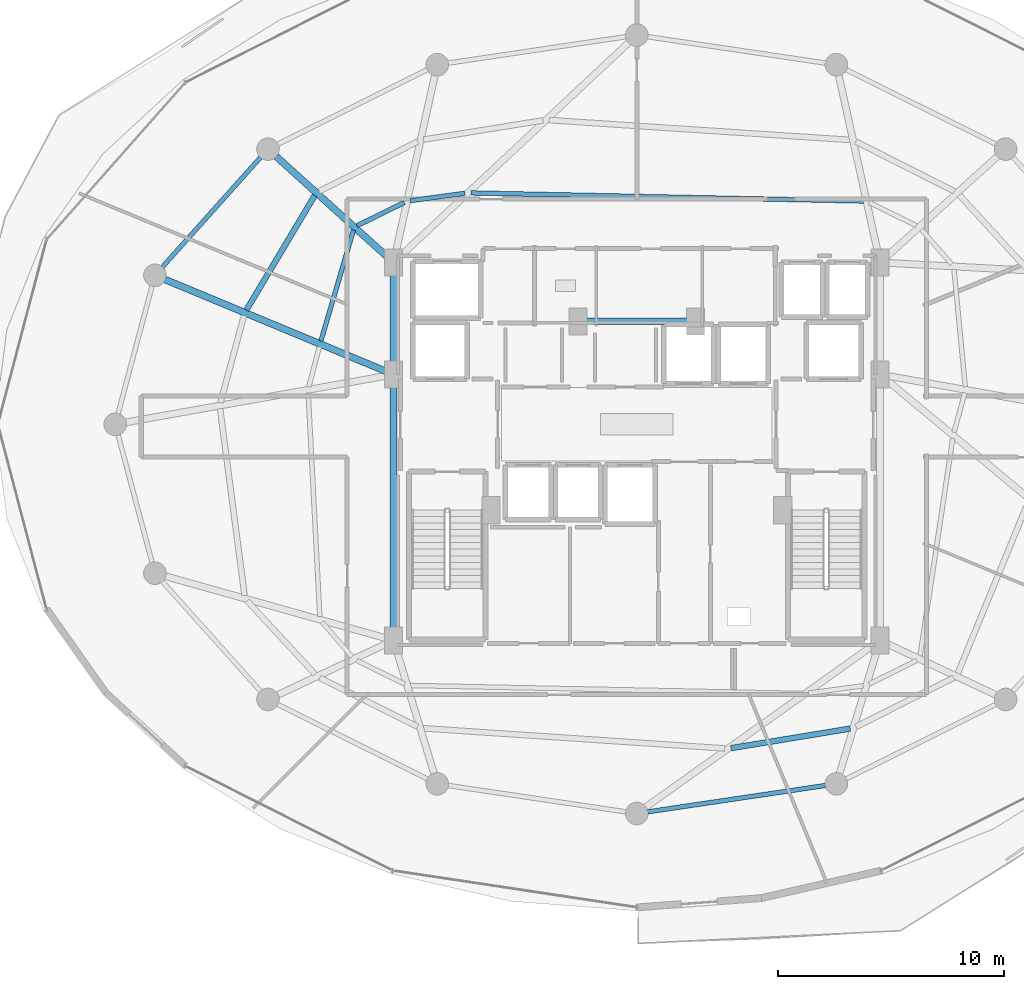
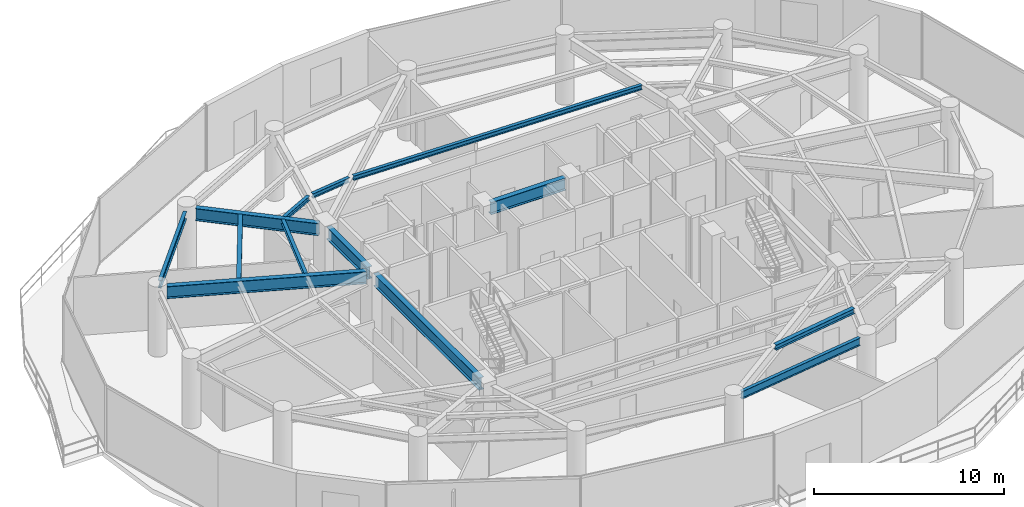
# One storey, part 10 of 31: 13 beams.
"""IFC4 building model written with IfcOpenShell, lengths in metres."""

from ifc_helpers import new_model, si_unit, direction, frame, origin, origin_2d, place, context, subcontext, project, spatial, i_section, extrude, material, material_profile, profile_set, type_object, element, save


model = new_model("IFC4")

# Units and contexts
model_context = context("Model", 3, precision=1e-05, world=origin(), true_north=direction((0.0, 1.0)))
body_context = subcontext(model_context, "Body", "Model", "MODEL_VIEW")
ifc_project = project(units=[si_unit("LENGTHUNIT", "METRE"), si_unit("AREAUNIT", "SQUARE_METRE"), si_unit("VOLUMEUNIT", "CUBIC_METRE"), si_unit("PLANEANGLEUNIT", "RADIAN"), si_unit("MASSUNIT", "GRAM", prefix="KILO")], contexts=[model_context])

# Site, building, storey
site_placement = place(None, origin())
site = spatial("IfcSite", under=ifc_project, at=site_placement, CompositionType="ELEMENT")
building_placement = place(site_placement, origin())
building = spatial("IfcBuilding", under=site, at=building_placement, Name="Vorneva Point Tower", CompositionType="ELEMENT")
storey_placement = place(building_placement, frame((0.0, 0.0, 174.60009765625)))
storey = spatial("IfcBuildingStorey", under=building, at=storey_placement, Name="L47", CompositionType="ELEMENT", Elevation=174.60009765625)

# Beams
ifc_material = material(Name="Steel S355", Category="steel")
ifc_material_profile_1 = material_profile(ifc_material, i_section(OverallWidth=0.300048828125, OverallDepth=0.7880859375, WebThickness=0.014404296875, FlangeThickness=0.02197265625, at=origin_2d()), Name="80Sh1")
ifc_profile_set_1 = profile_set([ifc_material_profile_1], Name="Steel S355")
beam_type_1 = type_object("IfcBeamType", Name="BM-GRD-80Sh1", PredefinedType="USERDEFINED", material=ifc_profile_set_1)
beam_1_placement = place(storey_placement, frame((22.063232421875, 37.835205078125, 3.845947265625), z_axis=(0.742084379637, -0.670306477292, 0.0), x_axis=(0.670306477292, 0.742084379637, 0.0)))
element("IfcBeam", 1, at=beam_1_placement, inside=storey, type_object=beam_type_1, Name="L47 Radial Primary Girder 07", ObjectType="GIRDER", PredefinedType="USERDEFINED", context=body_context, shape_type="SweptSolid", body=[
    extrude(i_section(OverallWidth=0.300048828125, OverallDepth=0.7880859375, WebThickness=0.014404296875, FlangeThickness=0.02197265625, at=origin_2d()), origin(), (0.0, 0.0, 1.0), 6.649658203125),
])
beam_2_placement = place(storey_placement, frame((17.1552734375, 32.39501953125, 3.845947265625), z_axis=(0.923440676596, -0.383741210723, 0.0), x_axis=(0.383741210723, 0.923440676596, 0.0)))
element("IfcBeam", 2, at=beam_2_placement, inside=storey, type_object=beam_type_1, Name="L47 Radial Primary Girder 08", ObjectType="GIRDER", PredefinedType="USERDEFINED", context=body_context, shape_type="SweptSolid", body=[
    extrude(i_section(OverallWidth=0.300048828125, OverallDepth=0.7880859375, WebThickness=0.014404296875, FlangeThickness=0.02197265625, at=origin_2d()), origin(), (0.0, 0.0, 1.0), 10.591552734375),
])
beam_3_placement = place(storey_placement, frame((27.25, 16.77001953125, 3.845947265625), z_axis=(0.0, 1.0, 0.0), x_axis=(-1.0, 0.0, 0.0)))
element("IfcBeam", 3, at=beam_3_placement, inside=storey, type_object=beam_type_1, Name="L47 Core Tie Girder CT1", ObjectType="GIRDER", PredefinedType="USERDEFINED", context=body_context, shape_type="SweptSolid", body=[
    extrude(i_section(OverallWidth=0.300048828125, OverallDepth=0.7880859375, WebThickness=0.014404296875, FlangeThickness=0.02197265625, at=origin_2d()), origin(), (0.0, 0.0, 1.0), 11.10986328125),
])
beam_4_placement = place(storey_placement, frame((27.25, 28.52001953125, 3.845947265625), z_axis=(0.0, 1.0, 0.0), x_axis=(-1.0, 0.0, 0.0)))
element("IfcBeam", 4, at=beam_4_placement, inside=storey, type_object=beam_type_1, Name="L47 Core Tie Girder CT2", ObjectType="GIRDER", PredefinedType="USERDEFINED", context=body_context, shape_type="SweptSolid", body=[
    extrude(i_section(OverallWidth=0.300048828125, OverallDepth=0.7880859375, WebThickness=0.014404296875, FlangeThickness=0.02197265625, at=origin_2d()), origin(), (0.0, 0.0, 1.0), 4.31005859375),
])
beam_5_placement = place(storey_placement, frame((35.719970703125, 30.550048828125, 3.845947265625), z_axis=(1.0, 0.0, 0.0), x_axis=(0.0, 1.0, 0.0)))
element("IfcBeam", 5, at=beam_5_placement, inside=storey, type_object=beam_type_1, Name="L47 Core Tie Girder CT8", ObjectType="GIRDER", PredefinedType="USERDEFINED", context=body_context, shape_type="SweptSolid", body=[
    extrude(i_section(OverallWidth=0.300048828125, OverallDepth=0.7880859375, WebThickness=0.014404296875, FlangeThickness=0.02197265625, at=origin_2d()), origin(), (0.0, 0.0, 1.0), 4.56005859375),
])
ifc_material_profile_2 = material_profile(ifc_material, i_section(OverallWidth=0.199951171875, OverallDepth=0.291015625, WebThickness=0.008056640625, FlangeThickness=0.010986328125, at=origin_2d()), Name="30Sh1")
ifc_profile_set_2 = profile_set([ifc_material_profile_2], Name="Steel S355")
beam_type_2 = type_object("IfcBeamType", Name="BM-SEC-30Sh1", PredefinedType="BEAM", material=ifc_profile_set_2)
beam_6_placement = place(storey_placement, frame((48.013427734375, 35.864501953125, 4.094482421875), z_axis=(-0.999784264677, 0.020770751154, 0.0), x_axis=(-0.020770751154, -0.999784264677, 0.0)))
element("IfcBeam", 6, at=beam_6_placement, inside=storey, type_object=beam_type_2, Name="L47 Secondary Floor Beam 2.04", PredefinedType="BEAM", context=body_context, shape_type="SweptSolid", body=[
    extrude(i_section(OverallWidth=0.199951171875, OverallDepth=0.291015625, WebThickness=0.008056640625, FlangeThickness=0.010986328125, at=origin_2d()), origin(), (0.0, 0.0, 1.0), 17.337158203125),
])
beam_7_placement = place(storey_placement, frame((30.4052734375, 36.208984375, 4.094482421875), z_axis=(-0.990893925695, -0.13464482174, 0.0), x_axis=(0.13464482174, -0.990893925695, 0.0)))
element("IfcBeam", 7, at=beam_7_placement, inside=storey, type_object=beam_type_2, Name="L47 Secondary Floor Beam 2.05", PredefinedType="BEAM", context=body_context, shape_type="SweptSolid", body=[
    extrude(i_section(OverallWidth=0.199951171875, OverallDepth=0.291015625, WebThickness=0.008056640625, FlangeThickness=0.010986328125, at=origin_2d()), origin(), (0.0, 0.0, 1.0), 2.4423828125),
])
beam_8_placement = place(storey_placement, frame((27.724609375, 35.80078125, 4.094482421875), z_axis=(-0.897310370884, -0.441400156664, 0.0), x_axis=(0.441400156664, -0.897310370884, 0.0)))
element("IfcBeam", 8, at=beam_8_placement, inside=storey, type_object=beam_type_2, Name="L47 Secondary Floor Beam 2.06", PredefinedType="BEAM", context=body_context, shape_type="SweptSolid", body=[
    extrude(i_section(OverallWidth=0.199951171875, OverallDepth=0.291015625, WebThickness=0.008056640625, FlangeThickness=0.010986328125, at=origin_2d()), origin(), (0.0, 0.0, 1.0), 2.322021484375),
])
beam_9_placement = place(storey_placement, frame((25.478515625, 34.58251953125, 4.094482421875), z_axis=(-0.28157099182, -0.95954039861, 0.0), x_axis=(0.95954039861, -0.28157099182, 0.0)))
element("IfcBeam", 9, at=beam_9_placement, inside=storey, type_object=beam_type_2, Name="L47 Secondary Floor Beam 2.07", PredefinedType="BEAM", context=body_context, shape_type="SweptSolid", body=[
    extrude(i_section(OverallWidth=0.199951171875, OverallDepth=0.291015625, WebThickness=0.008056640625, FlangeThickness=0.010986328125, at=origin_2d()), origin(), (0.0, 0.0, 1.0), 5.10693359375),
])
ifc_material_profile_3 = material_profile(ifc_material, i_section(OverallWidth=0.2490234375, OverallDepth=0.333984375, WebThickness=0.008056640625, FlangeThickness=0.010986328125, at=origin_2d()), Name="35Sh1")
ifc_profile_set_3 = profile_set([ifc_material_profile_3], Name="Steel S355")
beam_type_3 = type_object("IfcBeamType", Name="BM-SEC-35Sh1", PredefinedType="BEAM", material=ifc_profile_set_3)
beam_10_placement = place(storey_placement, frame((23.768798828125, 36.112060546875, 4.072998046875), z_axis=(-0.512582119722, -0.858638207012, 0.0), x_axis=(0.858638207012, -0.512582119722, 0.0)))
element("IfcBeam", 10, at=beam_10_placement, inside=storey, type_object=beam_type_3, Name="L47 Secondary Floor Beam 1.07", PredefinedType="BEAM", context=body_context, shape_type="SweptSolid", body=[
    extrude(i_section(OverallWidth=0.2490234375, OverallDepth=0.333984375, WebThickness=0.008056640625, FlangeThickness=0.010986328125, at=origin_2d()), origin(), (0.0, 0.0, 1.0), 5.89501953125),
])
beam_11_placement = place(storey_placement, frame((42.160888671875, 11.686279296875, 4.072998046875), z_axis=(0.986812954533, 0.161864736014, 0.0), x_axis=(-0.161864736014, 0.986812954533, 0.0)))
element("IfcBeam", 11, at=beam_11_placement, inside=storey, type_object=beam_type_3, Name="L47 Secondary Floor Beam 1.13", PredefinedType="BEAM", context=body_context, shape_type="SweptSolid", body=[
    extrude(i_section(OverallWidth=0.2490234375, OverallDepth=0.333984375, WebThickness=0.008056640625, FlangeThickness=0.010986328125, at=origin_2d()), origin(), (0.0, 0.0, 1.0), 5.343994140625),
])
ifc_material_profile_4 = material_profile(ifc_material, i_section(OverallWidth=0.199951171875, OverallDepth=0.491943359375, WebThickness=0.0087890625, FlangeThickness=0.011962890625, at=origin_2d()), Name="50B1")
ifc_profile_set_4 = profile_set([ifc_material_profile_4], Name="Steel S355")
beam_type_4 = type_object("IfcBeamType", Name="BM-SPN-50B1", PredefinedType="SPANDREL", material=ifc_profile_set_4)
beam_12_placement = place(storey_placement, frame((21.377685546875, 37.80078125, 3.993896484375), z_axis=(-0.667111118975, -0.74495822362, 0.0), x_axis=(0.74495822362, -0.667111118975, 0.0)))
element("IfcBeam", 12, at=beam_12_placement, inside=storey, type_object=beam_type_4, Name="L47 Perimeter Spandrel Ring Beam 07", PredefinedType="SPANDREL", context=body_context, shape_type="SweptSolid", body=[
    extrude(i_section(OverallWidth=0.199951171875, OverallDepth=0.491943359375, WebThickness=0.0087890625, FlangeThickness=0.011962890625, at=origin_2d()), origin(), (0.0, 0.0, 1.0), 6.52001953125),
])
beam_13_placement = place(storey_placement, frame((38.479736328125, 8.87109375, 3.993896484375), z_axis=(0.989161199046, 0.146833655211, 0.0), x_axis=(-0.146833655211, 0.989161199046, 0.0)))
element("IfcBeam", 13, at=beam_13_placement, inside=storey, type_object=beam_type_4, Name="L47 Perimeter Spandrel Ring Beam 13", PredefinedType="SPANDREL", context=body_context, shape_type="SweptSolid", body=[
    extrude(i_section(OverallWidth=0.199951171875, OverallDepth=0.491943359375, WebThickness=0.0087890625, FlangeThickness=0.011962890625, at=origin_2d()), origin(), (0.0, 0.0, 1.0), 7.94775390625),
])

save(model, "model.ifc")
